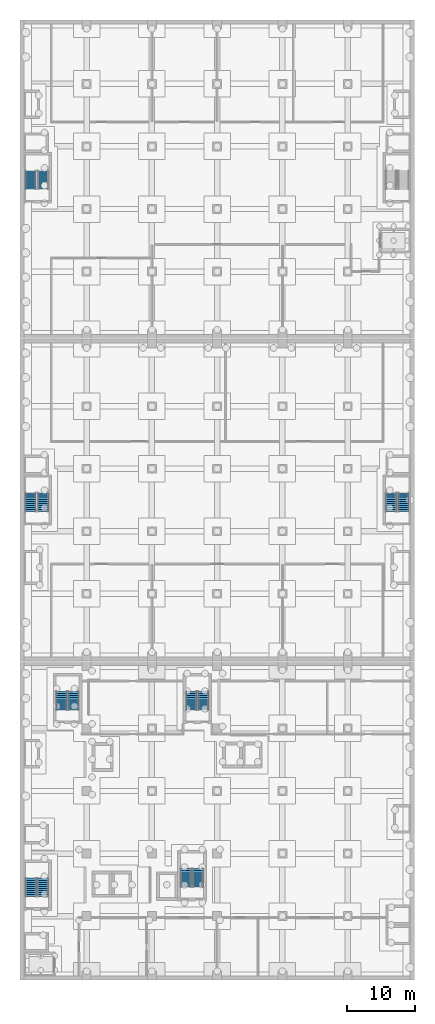
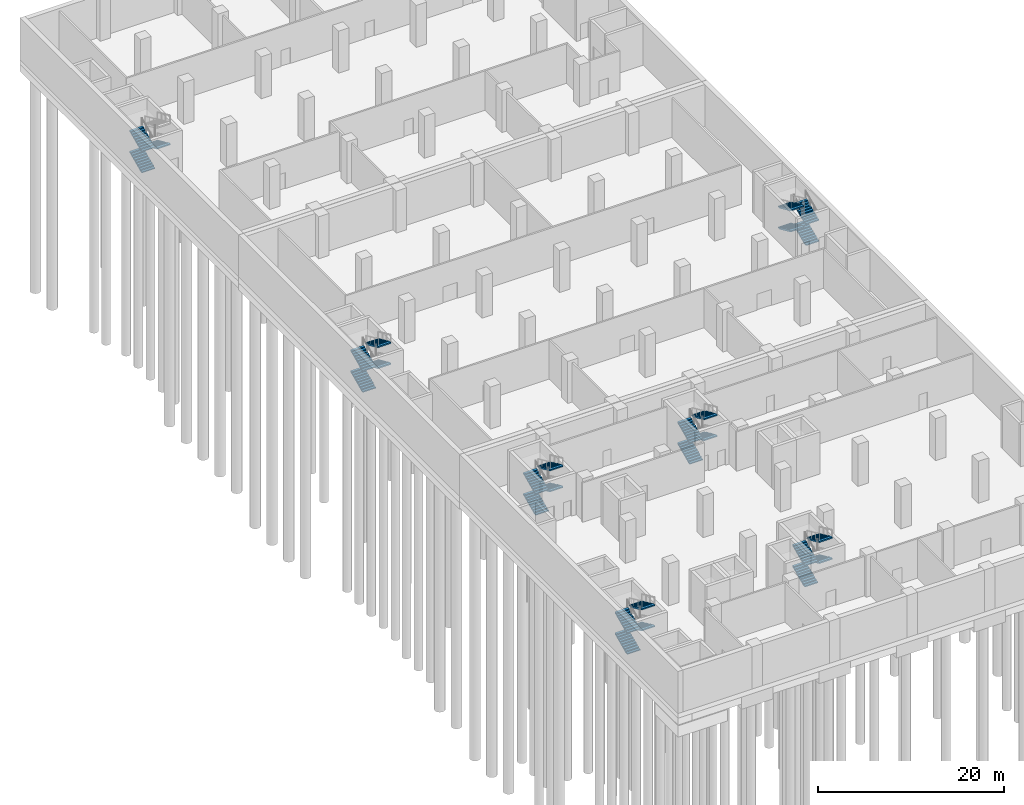
# One storey, part 14 of 33: 27 stair flights, 7 elements without a shape of their own.
"""IFC4 building model written with IfcOpenShell, lengths in metres."""

from ifc_helpers import new_model, si_unit, direction, frame, origin, place, context, subcontext, project, spatial, polyline, outline, extrude, material, type_object, element, aggregate, save


model = new_model("IFC4")

# Units and contexts
model_context = context("Model", 3, precision=1e-05, world=origin(), true_north=direction((0.0, 1.0)))
body_context = subcontext(model_context, "Body", "Model", "MODEL_VIEW")
ifc_project = project(units=[si_unit("LENGTHUNIT", "METRE"), si_unit("AREAUNIT", "SQUARE_METRE"), si_unit("VOLUMEUNIT", "CUBIC_METRE"), si_unit("PLANEANGLEUNIT", "RADIAN"), si_unit("MASSUNIT", "GRAM", prefix="KILO")], contexts=[model_context])

# Site, building, storey
site_placement = place(None, origin())
site = spatial("IfcSite", under=ifc_project, at=site_placement, CompositionType="ELEMENT")
building_placement = place(site_placement, origin())
building = spatial("IfcBuilding", under=site, at=building_placement, Name="Nzadi Deep Aquarium and Research Tower", CompositionType="ELEMENT")
storey_placement = place(building_placement, frame((0.0, 0.0, -5.5)))
storey = spatial("IfcBuildingStorey", under=building, at=storey_placement, Name="B1", CompositionType="ELEMENT", Elevation=-5.5)

# Stair, stair flights
ifc_material_1 = material(Name="Concrete C35/45", Category="concrete")
stair_type = type_object("IfcStairType", Name="STAIR RETURN 3000", PredefinedType="NOTDEFINED", material=ifc_material_1)
stair_1_placement = place(storey_placement, origin())
stair_1 = element("IfcStair", 1, at=stair_1_placement, inside=storey, type_object=stair_type, Name="Stair ST-Z1-SW B1", PredefinedType="DOUBLE_RETURN_STAIR")
ifc_material_2 = material(Name="Concrete C35/45", Category="concrete")
stair_flight_type = type_object("IfcStairFlightType", Name="FLIGHT 1625 10 RISERS 137.5", PredefinedType="STRAIGHT", material=ifc_material_2)
stair_flight_1_placement = place(storey_placement, frame((1.41259765625, 12.070068359375, 0.0), z_axis=(0.0, 0.0, 1.0), x_axis=(0.0, 1.0, 0.0)))
stair_flight_1 = element("IfcStairFlight", 2, at=stair_flight_1_placement, type_object=stair_flight_type, Name="ST-Z1-SW flight 1", NumberOfRisers=10, NumberOfTreads=9, PredefinedType="STRAIGHT", RiserHeight=0.1375, TreadLength=0.3, context=body_context, shape_type="SweptSolid", body=[
    extrude(outline(polyline([(0.0, 0.0), (0.0, 0.137451171875), (0.300048828125, 0.137451171875), (0.300048828125, 0.27490234375), (0.60009765625, 0.27490234375), (0.60009765625, 0.41259765625), (0.89990234375, 0.41259765625), (0.89990234375, 0.550048828125), (1.199951171875, 0.550048828125), (1.199951171875, 0.6875), (1.5, 0.6875), (1.5, 0.824951171875), (1.800048828125, 0.824951171875), (1.800048828125, 0.96240234375), (2.10009765625, 0.96240234375), (2.10009765625, 1.10009765625), (2.39990234375, 1.10009765625), (2.39990234375, 1.237548828125), (2.699951171875, 1.237548828125), (2.699951171875, 1.375), (2.699951171875, 1.072509765625), (0.35986328125, 0.0), (0.0, 0.0)])), frame((0.0, 0.8125, 0.0), z_axis=(0.0, -1.0, 0.0), x_axis=(1.0, 0.0, 0.0)), (0.0, 0.0, 1.0), 1.625),
])
stair_flight_2_placement = place(storey_placement, frame((3.1875, 14.77001953125, 1.375), z_axis=(0.0, 0.0, 1.0), x_axis=(0.0, -1.0, 0.0)))
stair_flight_2 = element("IfcStairFlight", 3, at=stair_flight_2_placement, type_object=stair_flight_type, Name="ST-Z1-SW flight 2", NumberOfRisers=10, NumberOfTreads=9, PredefinedType="STRAIGHT", RiserHeight=0.1375, TreadLength=0.3, context=body_context, shape_type="SweptSolid", body=[
    extrude(outline(polyline([(0.0, 0.0), (0.0, 0.137451171875), (0.300048828125, 0.137451171875), (0.300048828125, 0.27490234375), (0.60009765625, 0.27490234375), (0.60009765625, 0.41259765625), (0.89990234375, 0.41259765625), (0.89990234375, 0.550048828125), (1.199951171875, 0.550048828125), (1.199951171875, 0.6875), (1.5, 0.6875), (1.5, 0.824951171875), (1.800048828125, 0.824951171875), (1.800048828125, 0.96240234375), (2.10009765625, 0.96240234375), (2.10009765625, 1.10009765625), (2.39990234375, 1.10009765625), (2.39990234375, 1.237548828125), (2.699951171875, 1.237548828125), (2.699951171875, 1.375), (2.699951171875, 1.072509765625), (0.35986328125, 0.0), (0.0, 0.0)])), frame((0.0, 0.8125, 0.0), z_axis=(0.0, -1.0, 0.0), x_axis=(1.0, 0.0, 0.0)), (0.0, 0.0, 1.0), 1.625),
])
stair_flight_3_placement = place(storey_placement, frame((1.41259765625, 12.070068359375, 2.75), z_axis=(0.0, 0.0, 1.0), x_axis=(0.0, 1.0, 0.0)))
stair_flight_3 = element("IfcStairFlight", 4, at=stair_flight_3_placement, type_object=stair_flight_type, Name="ST-Z1-SW flight 3", NumberOfRisers=10, NumberOfTreads=9, PredefinedType="STRAIGHT", RiserHeight=0.1375, TreadLength=0.3, context=body_context, shape_type="SweptSolid", body=[
    extrude(outline(polyline([(0.0, 0.0), (0.0, 0.137451171875), (0.300048828125, 0.137451171875), (0.300048828125, 0.27490234375), (0.60009765625, 0.27490234375), (0.60009765625, 0.41259765625), (0.89990234375, 0.41259765625), (0.89990234375, 0.550048828125), (1.199951171875, 0.550048828125), (1.199951171875, 0.6875), (1.5, 0.6875), (1.5, 0.824951171875), (1.800048828125, 0.824951171875), (1.800048828125, 0.96240234375), (2.10009765625, 0.96240234375), (2.10009765625, 1.10009765625), (2.39990234375, 1.10009765625), (2.39990234375, 1.237548828125), (2.699951171875, 1.237548828125), (2.699951171875, 1.375), (2.699951171875, 1.072509765625), (0.35986328125, 0.0), (0.0, 0.0)])), frame((0.0, 0.8125, 0.0), z_axis=(0.0, -1.0, 0.0), x_axis=(1.0, 0.0, 0.0)), (0.0, 0.0, 1.0), 1.625),
])
stair_flight_4_placement = place(storey_placement, frame((3.1875, 14.77001953125, 4.125), z_axis=(0.0, 0.0, 1.0), x_axis=(0.0, -1.0, 0.0)))
stair_flight_4 = element("IfcStairFlight", 5, at=stair_flight_4_placement, type_object=stair_flight_type, Name="ST-Z1-SW flight 4", NumberOfRisers=10, NumberOfTreads=9, PredefinedType="STRAIGHT", RiserHeight=0.1375, TreadLength=0.3, context=body_context, shape_type="SweptSolid", body=[
    extrude(outline(polyline([(0.0, 0.0), (0.0, 0.137451171875), (0.300048828125, 0.137451171875), (0.300048828125, 0.27490234375), (0.60009765625, 0.27490234375), (0.60009765625, 0.41259765625), (0.89990234375, 0.41259765625), (0.89990234375, 0.550048828125), (1.199951171875, 0.550048828125), (1.199951171875, 0.6875), (1.5, 0.6875), (1.5, 0.824951171875), (1.800048828125, 0.824951171875), (1.800048828125, 0.96240234375), (2.10009765625, 0.96240234375), (2.10009765625, 1.10009765625), (2.39990234375, 1.10009765625), (2.39990234375, 1.237548828125), (2.699951171875, 1.237548828125), (2.699951171875, 1.375), (2.699951171875, 1.072509765625), (0.35986328125, 0.0), (0.0, 0.0)])), frame((0.0, 0.8125, 0.0), z_axis=(0.0, -1.0, 0.0), x_axis=(1.0, 0.0, 0.0)), (0.0, 0.0, 1.0), 1.625),
])
aggregate(stair_1, [stair_flight_1, stair_flight_2, stair_flight_3, stair_flight_4])

stair_2_placement = place(storey_placement, origin())
stair_2 = element("IfcStair", 6, at=stair_2_placement, inside=storey, type_object=stair_type, Name="Stair ST-Z1-SE B1", PredefinedType="DOUBLE_RETURN_STAIR")
stair_flight_5_placement = place(storey_placement, frame((24.21240234375, 13.469970703125, 0.0), z_axis=(0.0, 0.0, 1.0), x_axis=(0.0, 1.0, 0.0)))
stair_flight_5 = element("IfcStairFlight", 7, at=stair_flight_5_placement, type_object=stair_flight_type, Name="ST-Z1-SE flight 1", NumberOfRisers=10, NumberOfTreads=9, PredefinedType="STRAIGHT", RiserHeight=0.1375, TreadLength=0.3, context=body_context, shape_type="SweptSolid", body=[
    extrude(outline(polyline([(0.0, 0.0), (0.0, 0.137451171875), (0.300048828125, 0.137451171875), (0.300048828125, 0.27490234375), (0.60009765625, 0.27490234375), (0.60009765625, 0.41259765625), (0.89990234375, 0.41259765625), (0.89990234375, 0.550048828125), (1.199951171875, 0.550048828125), (1.199951171875, 0.6875), (1.5, 0.6875), (1.5, 0.824951171875), (1.800048828125, 0.824951171875), (1.800048828125, 0.96240234375), (2.10009765625, 0.96240234375), (2.10009765625, 1.10009765625), (2.39990234375, 1.10009765625), (2.39990234375, 1.237548828125), (2.699951171875, 1.237548828125), (2.699951171875, 1.375), (2.699951171875, 1.072509765625), (0.35986328125, 0.0), (0.0, 0.0)])), frame((0.0, 0.8125, 0.0), z_axis=(0.0, -1.0, 0.0), x_axis=(1.0, 0.0, 0.0)), (0.0, 0.0, 1.0), 1.625),
])
stair_flight_6_placement = place(storey_placement, frame((25.987548828125, 16.169921875, 1.375), z_axis=(0.0, 0.0, 1.0), x_axis=(0.0, -1.0, 0.0)))
stair_flight_6 = element("IfcStairFlight", 8, at=stair_flight_6_placement, type_object=stair_flight_type, Name="ST-Z1-SE flight 2", NumberOfRisers=10, NumberOfTreads=9, PredefinedType="STRAIGHT", RiserHeight=0.1375, TreadLength=0.3, context=body_context, shape_type="SweptSolid", body=[
    extrude(outline(polyline([(0.0, 0.0), (0.0, 0.137451171875), (0.300048828125, 0.137451171875), (0.300048828125, 0.27490234375), (0.60009765625, 0.27490234375), (0.60009765625, 0.41259765625), (0.89990234375, 0.41259765625), (0.89990234375, 0.550048828125), (1.199951171875, 0.550048828125), (1.199951171875, 0.6875), (1.5, 0.6875), (1.5, 0.824951171875), (1.800048828125, 0.824951171875), (1.800048828125, 0.96240234375), (2.10009765625, 0.96240234375), (2.10009765625, 1.10009765625), (2.39990234375, 1.10009765625), (2.39990234375, 1.237548828125), (2.699951171875, 1.237548828125), (2.699951171875, 1.375), (2.699951171875, 1.072509765625), (0.35986328125, 0.0), (0.0, 0.0)])), frame((0.0, 0.8125, 0.0), z_axis=(0.0, -1.0, 0.0), x_axis=(1.0, 0.0, 0.0)), (0.0, 0.0, 1.0), 1.625),
])
stair_flight_7_placement = place(storey_placement, frame((24.21240234375, 13.469970703125, 2.75), z_axis=(0.0, 0.0, 1.0), x_axis=(0.0, 1.0, 0.0)))
stair_flight_7 = element("IfcStairFlight", 9, at=stair_flight_7_placement, type_object=stair_flight_type, Name="ST-Z1-SE flight 3", NumberOfRisers=10, NumberOfTreads=9, PredefinedType="STRAIGHT", RiserHeight=0.1375, TreadLength=0.3, context=body_context, shape_type="SweptSolid", body=[
    extrude(outline(polyline([(0.0, 0.0), (0.0, 0.137451171875), (0.300048828125, 0.137451171875), (0.300048828125, 0.27490234375), (0.60009765625, 0.27490234375), (0.60009765625, 0.41259765625), (0.89990234375, 0.41259765625), (0.89990234375, 0.550048828125), (1.199951171875, 0.550048828125), (1.199951171875, 0.6875), (1.5, 0.6875), (1.5, 0.824951171875), (1.800048828125, 0.824951171875), (1.800048828125, 0.96240234375), (2.10009765625, 0.96240234375), (2.10009765625, 1.10009765625), (2.39990234375, 1.10009765625), (2.39990234375, 1.237548828125), (2.699951171875, 1.237548828125), (2.699951171875, 1.375), (2.699951171875, 1.072509765625), (0.35986328125, 0.0), (0.0, 0.0)])), frame((0.0, 0.8125, 0.0), z_axis=(0.0, -1.0, 0.0), x_axis=(1.0, 0.0, 0.0)), (0.0, 0.0, 1.0), 1.625),
])
stair_flight_8_placement = place(storey_placement, frame((25.987548828125, 16.169921875, 4.125), z_axis=(0.0, 0.0, 1.0), x_axis=(0.0, -1.0, 0.0)))
stair_flight_8 = element("IfcStairFlight", 10, at=stair_flight_8_placement, type_object=stair_flight_type, Name="ST-Z1-SE flight 4", NumberOfRisers=10, NumberOfTreads=9, PredefinedType="STRAIGHT", RiserHeight=0.1375, TreadLength=0.3, context=body_context, shape_type="SweptSolid", body=[
    extrude(outline(polyline([(0.0, 0.0), (0.0, 0.137451171875), (0.300048828125, 0.137451171875), (0.300048828125, 0.27490234375), (0.60009765625, 0.27490234375), (0.60009765625, 0.41259765625), (0.89990234375, 0.41259765625), (0.89990234375, 0.550048828125), (1.199951171875, 0.550048828125), (1.199951171875, 0.6875), (1.5, 0.6875), (1.5, 0.824951171875), (1.800048828125, 0.824951171875), (1.800048828125, 0.96240234375), (2.10009765625, 0.96240234375), (2.10009765625, 1.10009765625), (2.39990234375, 1.10009765625), (2.39990234375, 1.237548828125), (2.699951171875, 1.237548828125), (2.699951171875, 1.375), (2.699951171875, 1.072509765625), (0.35986328125, 0.0), (0.0, 0.0)])), frame((0.0, 0.8125, 0.0), z_axis=(0.0, -1.0, 0.0), x_axis=(1.0, 0.0, 0.0)), (0.0, 0.0, 1.0), 1.625),
])
aggregate(stair_2, [stair_flight_5, stair_flight_6, stair_flight_7, stair_flight_8])

stair_3_placement = place(storey_placement, origin())
stair_3 = element("IfcStair", 11, at=stair_3_placement, inside=storey, type_object=stair_type, Name="Stair ST-Z1-NW B1", PredefinedType="DOUBLE_RETURN_STAIR")
stair_flight_9_placement = place(storey_placement, frame((5.91259765625, 39.52001953125, 0.0), z_axis=(0.0, 0.0, 1.0), x_axis=(0.0, 1.0, 0.0)))
stair_flight_9 = element("IfcStairFlight", 12, at=stair_flight_9_placement, type_object=stair_flight_type, Name="ST-Z1-NW flight 1", NumberOfRisers=10, NumberOfTreads=9, PredefinedType="STRAIGHT", RiserHeight=0.1375, TreadLength=0.3, context=body_context, shape_type="SweptSolid", body=[
    extrude(outline(polyline([(0.0, 0.0), (0.0, 0.137451171875), (0.300048828125, 0.137451171875), (0.300048828125, 0.27490234375), (0.60009765625, 0.27490234375), (0.60009765625, 0.41259765625), (0.89990234375, 0.41259765625), (0.89990234375, 0.550048828125), (1.199951171875, 0.550048828125), (1.199951171875, 0.6875), (1.5, 0.6875), (1.5, 0.824951171875), (1.800048828125, 0.824951171875), (1.800048828125, 0.96240234375), (2.10009765625, 0.96240234375), (2.10009765625, 1.10009765625), (2.39990234375, 1.10009765625), (2.39990234375, 1.237548828125), (2.699951171875, 1.237548828125), (2.699951171875, 1.375), (2.699951171875, 1.072509765625), (0.35986328125, 0.0), (0.0, 0.0)])), frame((0.0, 0.8125, 0.0), z_axis=(0.0, -1.0, 0.0), x_axis=(1.0, 0.0, 0.0)), (0.0, 0.0, 1.0), 1.625),
])
stair_flight_10_placement = place(storey_placement, frame((7.6875, 42.219970703125, 1.375), z_axis=(0.0, 0.0, 1.0), x_axis=(0.0, -1.0, 0.0)))
stair_flight_10 = element("IfcStairFlight", 13, at=stair_flight_10_placement, type_object=stair_flight_type, Name="ST-Z1-NW flight 2", NumberOfRisers=10, NumberOfTreads=9, PredefinedType="STRAIGHT", RiserHeight=0.1375, TreadLength=0.3, context=body_context, shape_type="SweptSolid", body=[
    extrude(outline(polyline([(0.0, 0.0), (0.0, 0.137451171875), (0.300048828125, 0.137451171875), (0.300048828125, 0.27490234375), (0.60009765625, 0.27490234375), (0.60009765625, 0.41259765625), (0.89990234375, 0.41259765625), (0.89990234375, 0.550048828125), (1.199951171875, 0.550048828125), (1.199951171875, 0.6875), (1.5, 0.6875), (1.5, 0.824951171875), (1.800048828125, 0.824951171875), (1.800048828125, 0.96240234375), (2.10009765625, 0.96240234375), (2.10009765625, 1.10009765625), (2.39990234375, 1.10009765625), (2.39990234375, 1.237548828125), (2.699951171875, 1.237548828125), (2.699951171875, 1.375), (2.699951171875, 1.072509765625), (0.35986328125, 0.0), (0.0, 0.0)])), frame((0.0, 0.8125, 0.0), z_axis=(0.0, -1.0, 0.0), x_axis=(1.0, 0.0, 0.0)), (0.0, 0.0, 1.0), 1.625),
])
stair_flight_11_placement = place(storey_placement, frame((5.91259765625, 39.52001953125, 2.75), z_axis=(0.0, 0.0, 1.0), x_axis=(0.0, 1.0, 0.0)))
stair_flight_11 = element("IfcStairFlight", 14, at=stair_flight_11_placement, type_object=stair_flight_type, Name="ST-Z1-NW flight 3", NumberOfRisers=10, NumberOfTreads=9, PredefinedType="STRAIGHT", RiserHeight=0.1375, TreadLength=0.3, context=body_context, shape_type="SweptSolid", body=[
    extrude(outline(polyline([(0.0, 0.0), (0.0, 0.137451171875), (0.300048828125, 0.137451171875), (0.300048828125, 0.27490234375), (0.60009765625, 0.27490234375), (0.60009765625, 0.41259765625), (0.89990234375, 0.41259765625), (0.89990234375, 0.550048828125), (1.199951171875, 0.550048828125), (1.199951171875, 0.6875), (1.5, 0.6875), (1.5, 0.824951171875), (1.800048828125, 0.824951171875), (1.800048828125, 0.96240234375), (2.10009765625, 0.96240234375), (2.10009765625, 1.10009765625), (2.39990234375, 1.10009765625), (2.39990234375, 1.237548828125), (2.699951171875, 1.237548828125), (2.699951171875, 1.375), (2.699951171875, 1.072509765625), (0.35986328125, 0.0), (0.0, 0.0)])), frame((0.0, 0.8125, 0.0), z_axis=(0.0, -1.0, 0.0), x_axis=(1.0, 0.0, 0.0)), (0.0, 0.0, 1.0), 1.625),
])
stair_flight_12_placement = place(storey_placement, frame((7.6875, 42.219970703125, 4.125), z_axis=(0.0, 0.0, 1.0), x_axis=(0.0, -1.0, 0.0)))
stair_flight_12 = element("IfcStairFlight", 15, at=stair_flight_12_placement, type_object=stair_flight_type, Name="ST-Z1-NW flight 4", NumberOfRisers=10, NumberOfTreads=9, PredefinedType="STRAIGHT", RiserHeight=0.1375, TreadLength=0.3, context=body_context, shape_type="SweptSolid", body=[
    extrude(outline(polyline([(0.0, 0.0), (0.0, 0.137451171875), (0.300048828125, 0.137451171875), (0.300048828125, 0.27490234375), (0.60009765625, 0.27490234375), (0.60009765625, 0.41259765625), (0.89990234375, 0.41259765625), (0.89990234375, 0.550048828125), (1.199951171875, 0.550048828125), (1.199951171875, 0.6875), (1.5, 0.6875), (1.5, 0.824951171875), (1.800048828125, 0.824951171875), (1.800048828125, 0.96240234375), (2.10009765625, 0.96240234375), (2.10009765625, 1.10009765625), (2.39990234375, 1.10009765625), (2.39990234375, 1.237548828125), (2.699951171875, 1.237548828125), (2.699951171875, 1.375), (2.699951171875, 1.072509765625), (0.35986328125, 0.0), (0.0, 0.0)])), frame((0.0, 0.8125, 0.0), z_axis=(0.0, -1.0, 0.0), x_axis=(1.0, 0.0, 0.0)), (0.0, 0.0, 1.0), 1.625),
])
aggregate(stair_3, [stair_flight_9, stair_flight_10, stair_flight_11, stair_flight_12])

stair_4_placement = place(storey_placement, origin())
stair_4 = element("IfcStair", 16, at=stair_4_placement, inside=storey, type_object=stair_type, Name="Stair ST-Z1-NE B1", PredefinedType="DOUBLE_RETURN_STAIR")
stair_flight_13_placement = place(storey_placement, frame((25.012451171875, 39.52001953125, 0.0), z_axis=(0.0, 0.0, 1.0), x_axis=(0.0, 1.0, 0.0)))
stair_flight_13 = element("IfcStairFlight", 17, at=stair_flight_13_placement, type_object=stair_flight_type, Name="ST-Z1-NE flight 1", NumberOfRisers=10, NumberOfTreads=9, PredefinedType="STRAIGHT", RiserHeight=0.1375, TreadLength=0.3, context=body_context, shape_type="SweptSolid", body=[
    extrude(outline(polyline([(0.0, 0.0), (0.0, 0.137451171875), (0.300048828125, 0.137451171875), (0.300048828125, 0.27490234375), (0.60009765625, 0.27490234375), (0.60009765625, 0.41259765625), (0.89990234375, 0.41259765625), (0.89990234375, 0.550048828125), (1.199951171875, 0.550048828125), (1.199951171875, 0.6875), (1.5, 0.6875), (1.5, 0.824951171875), (1.800048828125, 0.824951171875), (1.800048828125, 0.96240234375), (2.10009765625, 0.96240234375), (2.10009765625, 1.10009765625), (2.39990234375, 1.10009765625), (2.39990234375, 1.237548828125), (2.699951171875, 1.237548828125), (2.699951171875, 1.375), (2.699951171875, 1.072509765625), (0.35986328125, 0.0), (0.0, 0.0)])), frame((0.0, 0.8125, 0.0), z_axis=(0.0, -1.0, 0.0), x_axis=(1.0, 0.0, 0.0)), (0.0, 0.0, 1.0), 1.625),
])
stair_flight_14_placement = place(storey_placement, frame((26.78759765625, 42.219970703125, 1.375), z_axis=(0.0, 0.0, 1.0), x_axis=(0.0, -1.0, 0.0)))
stair_flight_14 = element("IfcStairFlight", 18, at=stair_flight_14_placement, type_object=stair_flight_type, Name="ST-Z1-NE flight 2", NumberOfRisers=10, NumberOfTreads=9, PredefinedType="STRAIGHT", RiserHeight=0.1375, TreadLength=0.3, context=body_context, shape_type="SweptSolid", body=[
    extrude(outline(polyline([(0.0, 0.0), (0.0, 0.137451171875), (0.300048828125, 0.137451171875), (0.300048828125, 0.27490234375), (0.60009765625, 0.27490234375), (0.60009765625, 0.41259765625), (0.89990234375, 0.41259765625), (0.89990234375, 0.550048828125), (1.199951171875, 0.550048828125), (1.199951171875, 0.6875), (1.5, 0.6875), (1.5, 0.824951171875), (1.800048828125, 0.824951171875), (1.800048828125, 0.96240234375), (2.10009765625, 0.96240234375), (2.10009765625, 1.10009765625), (2.39990234375, 1.10009765625), (2.39990234375, 1.237548828125), (2.699951171875, 1.237548828125), (2.699951171875, 1.375), (2.699951171875, 1.072509765625), (0.35986328125, 0.0), (0.0, 0.0)])), frame((0.0, 0.8125, 0.0), z_axis=(0.0, -1.0, 0.0), x_axis=(1.0, 0.0, 0.0)), (0.0, 0.0, 1.0), 1.625),
])
stair_flight_15_placement = place(storey_placement, frame((25.012451171875, 39.52001953125, 2.75), z_axis=(0.0, 0.0, 1.0), x_axis=(0.0, 1.0, 0.0)))
stair_flight_15 = element("IfcStairFlight", 19, at=stair_flight_15_placement, type_object=stair_flight_type, Name="ST-Z1-NE flight 3", NumberOfRisers=10, NumberOfTreads=9, PredefinedType="STRAIGHT", RiserHeight=0.1375, TreadLength=0.3, context=body_context, shape_type="SweptSolid", body=[
    extrude(outline(polyline([(0.0, 0.0), (0.0, 0.137451171875), (0.300048828125, 0.137451171875), (0.300048828125, 0.27490234375), (0.60009765625, 0.27490234375), (0.60009765625, 0.41259765625), (0.89990234375, 0.41259765625), (0.89990234375, 0.550048828125), (1.199951171875, 0.550048828125), (1.199951171875, 0.6875), (1.5, 0.6875), (1.5, 0.824951171875), (1.800048828125, 0.824951171875), (1.800048828125, 0.96240234375), (2.10009765625, 0.96240234375), (2.10009765625, 1.10009765625), (2.39990234375, 1.10009765625), (2.39990234375, 1.237548828125), (2.699951171875, 1.237548828125), (2.699951171875, 1.375), (2.699951171875, 1.072509765625), (0.35986328125, 0.0), (0.0, 0.0)])), frame((0.0, 0.8125, 0.0), z_axis=(0.0, -1.0, 0.0), x_axis=(1.0, 0.0, 0.0)), (0.0, 0.0, 1.0), 1.625),
])
stair_flight_16_placement = place(storey_placement, frame((26.78759765625, 42.219970703125, 4.125), z_axis=(0.0, 0.0, 1.0), x_axis=(0.0, -1.0, 0.0)))
stair_flight_16 = element("IfcStairFlight", 20, at=stair_flight_16_placement, type_object=stair_flight_type, Name="ST-Z1-NE flight 4", NumberOfRisers=10, NumberOfTreads=9, PredefinedType="STRAIGHT", RiserHeight=0.1375, TreadLength=0.3, context=body_context, shape_type="SweptSolid", body=[
    extrude(outline(polyline([(0.0, 0.0), (0.0, 0.137451171875), (0.300048828125, 0.137451171875), (0.300048828125, 0.27490234375), (0.60009765625, 0.27490234375), (0.60009765625, 0.41259765625), (0.89990234375, 0.41259765625), (0.89990234375, 0.550048828125), (1.199951171875, 0.550048828125), (1.199951171875, 0.6875), (1.5, 0.6875), (1.5, 0.824951171875), (1.800048828125, 0.824951171875), (1.800048828125, 0.96240234375), (2.10009765625, 0.96240234375), (2.10009765625, 1.10009765625), (2.39990234375, 1.10009765625), (2.39990234375, 1.237548828125), (2.699951171875, 1.237548828125), (2.699951171875, 1.375), (2.699951171875, 1.072509765625), (0.35986328125, 0.0), (0.0, 0.0)])), frame((0.0, 0.8125, 0.0), z_axis=(0.0, -1.0, 0.0), x_axis=(1.0, 0.0, 0.0)), (0.0, 0.0, 1.0), 1.625),
])
aggregate(stair_4, [stair_flight_13, stair_flight_14, stair_flight_15, stair_flight_16])

stair_5_placement = place(storey_placement, origin())
stair_5 = element("IfcStair", 21, at=stair_5_placement, inside=storey, type_object=stair_type, Name="Stair ST-Z2-W B1", PredefinedType="DOUBLE_RETURN_STAIR")
stair_flight_17_placement = place(storey_placement, frame((1.362548828125, 68.7099609375, 0.0), z_axis=(0.0, 0.0, 1.0), x_axis=(0.0, 1.0, 0.0)))
stair_flight_17 = element("IfcStairFlight", 22, at=stair_flight_17_placement, type_object=stair_flight_type, Name="ST-Z2-W flight 1", NumberOfRisers=10, NumberOfTreads=9, PredefinedType="STRAIGHT", RiserHeight=0.1375, TreadLength=0.3, context=body_context, shape_type="SweptSolid", body=[
    extrude(outline(polyline([(0.0, 0.0), (0.0, 0.137451171875), (0.300048828125, 0.137451171875), (0.300048828125, 0.27490234375), (0.60009765625, 0.27490234375), (0.60009765625, 0.41259765625), (0.89990234375, 0.41259765625), (0.89990234375, 0.550048828125), (1.199951171875, 0.550048828125), (1.199951171875, 0.6875), (1.5, 0.6875), (1.5, 0.824951171875), (1.800048828125, 0.824951171875), (1.800048828125, 0.96240234375), (2.10009765625, 0.96240234375), (2.10009765625, 1.10009765625), (2.39990234375, 1.10009765625), (2.39990234375, 1.237548828125), (2.699951171875, 1.237548828125), (2.699951171875, 1.375), (2.699951171875, 1.072509765625), (0.35986328125, 0.0), (0.0, 0.0)])), frame((0.0, 0.8125, 0.0), z_axis=(0.0, -1.0, 0.0), x_axis=(1.0, 0.0, 0.0)), (0.0, 0.0, 1.0), 1.625),
])
stair_flight_18_placement = place(storey_placement, frame((3.237548828125, 71.409912109375, 1.375), z_axis=(0.0, 0.0, 1.0), x_axis=(0.0, -1.0, 0.0)))
stair_flight_18 = element("IfcStairFlight", 23, at=stair_flight_18_placement, type_object=stair_flight_type, Name="ST-Z2-W flight 2", NumberOfRisers=10, NumberOfTreads=9, PredefinedType="STRAIGHT", RiserHeight=0.1375, TreadLength=0.3, context=body_context, shape_type="SweptSolid", body=[
    extrude(outline(polyline([(0.0, 0.0), (0.0, 0.137451171875), (0.300048828125, 0.137451171875), (0.300048828125, 0.27490234375), (0.60009765625, 0.27490234375), (0.60009765625, 0.41259765625), (0.89990234375, 0.41259765625), (0.89990234375, 0.550048828125), (1.199951171875, 0.550048828125), (1.199951171875, 0.6875), (1.5, 0.6875), (1.5, 0.824951171875), (1.800048828125, 0.824951171875), (1.800048828125, 0.96240234375), (2.10009765625, 0.96240234375), (2.10009765625, 1.10009765625), (2.39990234375, 1.10009765625), (2.39990234375, 1.237548828125), (2.699951171875, 1.237548828125), (2.699951171875, 1.375), (2.699951171875, 1.072509765625), (0.35986328125, 0.0), (0.0, 0.0)])), frame((0.0, 0.8125, 0.0), z_axis=(0.0, -1.0, 0.0), x_axis=(1.0, 0.0, 0.0)), (0.0, 0.0, 1.0), 1.625),
])
stair_flight_19_placement = place(storey_placement, frame((1.362548828125, 68.7099609375, 2.75), z_axis=(0.0, 0.0, 1.0), x_axis=(0.0, 1.0, 0.0)))
stair_flight_19 = element("IfcStairFlight", 24, at=stair_flight_19_placement, type_object=stair_flight_type, Name="ST-Z2-W flight 3", NumberOfRisers=10, NumberOfTreads=9, PredefinedType="STRAIGHT", RiserHeight=0.1375, TreadLength=0.3, context=body_context, shape_type="SweptSolid", body=[
    extrude(outline(polyline([(0.0, 0.0), (0.0, 0.137451171875), (0.300048828125, 0.137451171875), (0.300048828125, 0.27490234375), (0.60009765625, 0.27490234375), (0.60009765625, 0.41259765625), (0.89990234375, 0.41259765625), (0.89990234375, 0.550048828125), (1.199951171875, 0.550048828125), (1.199951171875, 0.6875), (1.5, 0.6875), (1.5, 0.824951171875), (1.800048828125, 0.824951171875), (1.800048828125, 0.96240234375), (2.10009765625, 0.96240234375), (2.10009765625, 1.10009765625), (2.39990234375, 1.10009765625), (2.39990234375, 1.237548828125), (2.699951171875, 1.237548828125), (2.699951171875, 1.375), (2.699951171875, 1.072509765625), (0.35986328125, 0.0), (0.0, 0.0)])), frame((0.0, 0.8125, 0.0), z_axis=(0.0, -1.0, 0.0), x_axis=(1.0, 0.0, 0.0)), (0.0, 0.0, 1.0), 1.625),
])
stair_flight_20_placement = place(storey_placement, frame((3.237548828125, 71.409912109375, 4.125), z_axis=(0.0, 0.0, 1.0), x_axis=(0.0, -1.0, 0.0)))
stair_flight_20 = element("IfcStairFlight", 25, at=stair_flight_20_placement, type_object=stair_flight_type, Name="ST-Z2-W flight 4", NumberOfRisers=10, NumberOfTreads=9, PredefinedType="STRAIGHT", RiserHeight=0.1375, TreadLength=0.3, context=body_context, shape_type="SweptSolid", body=[
    extrude(outline(polyline([(0.0, 0.0), (0.0, 0.137451171875), (0.300048828125, 0.137451171875), (0.300048828125, 0.27490234375), (0.60009765625, 0.27490234375), (0.60009765625, 0.41259765625), (0.89990234375, 0.41259765625), (0.89990234375, 0.550048828125), (1.199951171875, 0.550048828125), (1.199951171875, 0.6875), (1.5, 0.6875), (1.5, 0.824951171875), (1.800048828125, 0.824951171875), (1.800048828125, 0.96240234375), (2.10009765625, 0.96240234375), (2.10009765625, 1.10009765625), (2.39990234375, 1.10009765625), (2.39990234375, 1.237548828125), (2.699951171875, 1.237548828125), (2.699951171875, 1.375), (2.699951171875, 1.072509765625), (0.35986328125, 0.0), (0.0, 0.0)])), frame((0.0, 0.8125, 0.0), z_axis=(0.0, -1.0, 0.0), x_axis=(1.0, 0.0, 0.0)), (0.0, 0.0, 1.0), 1.625),
])
aggregate(stair_5, [stair_flight_17, stair_flight_18, stair_flight_19, stair_flight_20])

stair_6_placement = place(storey_placement, origin())
stair_6 = element("IfcStair", 26, at=stair_6_placement, inside=storey, type_object=stair_type, Name="Stair ST-Z2-E B1", PredefinedType="DOUBLE_RETURN_STAIR")
stair_flight_21_placement = place(storey_placement, frame((56.237548828125, 68.7099609375, 0.0), z_axis=(0.0, 0.0, 1.0), x_axis=(0.0, 1.0, 0.0)))
stair_flight_21 = element("IfcStairFlight", 27, at=stair_flight_21_placement, type_object=stair_flight_type, Name="ST-Z2-E flight 1", NumberOfRisers=10, NumberOfTreads=9, PredefinedType="STRAIGHT", RiserHeight=0.1375, TreadLength=0.3, context=body_context, shape_type="SweptSolid", body=[
    extrude(outline(polyline([(0.0, 0.0), (0.0, 0.137451171875), (0.300048828125, 0.137451171875), (0.300048828125, 0.27490234375), (0.60009765625, 0.27490234375), (0.60009765625, 0.41259765625), (0.89990234375, 0.41259765625), (0.89990234375, 0.550048828125), (1.199951171875, 0.550048828125), (1.199951171875, 0.6875), (1.5, 0.6875), (1.5, 0.824951171875), (1.800048828125, 0.824951171875), (1.800048828125, 0.96240234375), (2.10009765625, 0.96240234375), (2.10009765625, 1.10009765625), (2.39990234375, 1.10009765625), (2.39990234375, 1.237548828125), (2.699951171875, 1.237548828125), (2.699951171875, 1.375), (2.699951171875, 1.072509765625), (0.35986328125, 0.0), (0.0, 0.0)])), frame((0.0, 0.8125, 0.0), z_axis=(0.0, -1.0, 0.0), x_axis=(1.0, 0.0, 0.0)), (0.0, 0.0, 1.0), 1.625),
])
stair_flight_22_placement = place(storey_placement, frame((54.362548828125, 71.409912109375, 1.375), z_axis=(0.0, 0.0, 1.0), x_axis=(0.0, -1.0, 0.0)))
stair_flight_22 = element("IfcStairFlight", 28, at=stair_flight_22_placement, type_object=stair_flight_type, Name="ST-Z2-E flight 2", NumberOfRisers=10, NumberOfTreads=9, PredefinedType="STRAIGHT", RiserHeight=0.1375, TreadLength=0.3, context=body_context, shape_type="SweptSolid", body=[
    extrude(outline(polyline([(0.0, 0.0), (0.0, 0.137451171875), (0.300048828125, 0.137451171875), (0.300048828125, 0.27490234375), (0.60009765625, 0.27490234375), (0.60009765625, 0.41259765625), (0.89990234375, 0.41259765625), (0.89990234375, 0.550048828125), (1.199951171875, 0.550048828125), (1.199951171875, 0.6875), (1.5, 0.6875), (1.5, 0.824951171875), (1.800048828125, 0.824951171875), (1.800048828125, 0.96240234375), (2.10009765625, 0.96240234375), (2.10009765625, 1.10009765625), (2.39990234375, 1.10009765625), (2.39990234375, 1.237548828125), (2.699951171875, 1.237548828125), (2.699951171875, 1.375), (2.699951171875, 1.072509765625), (0.35986328125, 0.0), (0.0, 0.0)])), frame((0.0, 0.8125, 0.0), z_axis=(0.0, -1.0, 0.0), x_axis=(1.0, 0.0, 0.0)), (0.0, 0.0, 1.0), 1.625),
])
stair_flight_23_placement = place(storey_placement, frame((56.237548828125, 68.7099609375, 2.75), z_axis=(0.0, 0.0, 1.0), x_axis=(0.0, 1.0, 0.0)))
stair_flight_23 = element("IfcStairFlight", 29, at=stair_flight_23_placement, type_object=stair_flight_type, Name="ST-Z2-E flight 3", NumberOfRisers=10, NumberOfTreads=9, PredefinedType="STRAIGHT", RiserHeight=0.1375, TreadLength=0.3, context=body_context, shape_type="SweptSolid", body=[
    extrude(outline(polyline([(0.0, 0.0), (0.0, 0.137451171875), (0.300048828125, 0.137451171875), (0.300048828125, 0.27490234375), (0.60009765625, 0.27490234375), (0.60009765625, 0.41259765625), (0.89990234375, 0.41259765625), (0.89990234375, 0.550048828125), (1.199951171875, 0.550048828125), (1.199951171875, 0.6875), (1.5, 0.6875), (1.5, 0.824951171875), (1.800048828125, 0.824951171875), (1.800048828125, 0.96240234375), (2.10009765625, 0.96240234375), (2.10009765625, 1.10009765625), (2.39990234375, 1.10009765625), (2.39990234375, 1.237548828125), (2.699951171875, 1.237548828125), (2.699951171875, 1.375), (2.699951171875, 1.072509765625), (0.35986328125, 0.0), (0.0, 0.0)])), frame((0.0, 0.8125, 0.0), z_axis=(0.0, -1.0, 0.0), x_axis=(1.0, 0.0, 0.0)), (0.0, 0.0, 1.0), 1.625),
])
stair_flight_24_placement = place(storey_placement, frame((54.362548828125, 71.409912109375, 4.125), z_axis=(0.0, 0.0, 1.0), x_axis=(0.0, -1.0, 0.0)))
stair_flight_24 = element("IfcStairFlight", 30, at=stair_flight_24_placement, type_object=stair_flight_type, Name="ST-Z2-E flight 4", NumberOfRisers=10, NumberOfTreads=9, PredefinedType="STRAIGHT", RiserHeight=0.1375, TreadLength=0.3, context=body_context, shape_type="SweptSolid", body=[
    extrude(outline(polyline([(0.0, 0.0), (0.0, 0.137451171875), (0.300048828125, 0.137451171875), (0.300048828125, 0.27490234375), (0.60009765625, 0.27490234375), (0.60009765625, 0.41259765625), (0.89990234375, 0.41259765625), (0.89990234375, 0.550048828125), (1.199951171875, 0.550048828125), (1.199951171875, 0.6875), (1.5, 0.6875), (1.5, 0.824951171875), (1.800048828125, 0.824951171875), (1.800048828125, 0.96240234375), (2.10009765625, 0.96240234375), (2.10009765625, 1.10009765625), (2.39990234375, 1.10009765625), (2.39990234375, 1.237548828125), (2.699951171875, 1.237548828125), (2.699951171875, 1.375), (2.699951171875, 1.072509765625), (0.35986328125, 0.0), (0.0, 0.0)])), frame((0.0, 0.8125, 0.0), z_axis=(0.0, -1.0, 0.0), x_axis=(1.0, 0.0, 0.0)), (0.0, 0.0, 1.0), 1.625),
])
aggregate(stair_6, [stair_flight_21, stair_flight_22, stair_flight_23, stair_flight_24])

stair_7_placement = place(storey_placement, origin())
stair_7 = element("IfcStair", 31, at=stair_7_placement, inside=storey, type_object=stair_type, Name="Stair ST-Z3-W B1", PredefinedType="DOUBLE_RETURN_STAIR")
stair_flight_25_placement = place(storey_placement, frame((1.362548828125, 116.110107421875, 0.0), z_axis=(0.0, 0.0, 1.0), x_axis=(0.0, 1.0, 0.0)))
stair_flight_25 = element("IfcStairFlight", 32, at=stair_flight_25_placement, type_object=stair_flight_type, Name="ST-Z3-W flight 1", NumberOfRisers=10, NumberOfTreads=9, PredefinedType="STRAIGHT", RiserHeight=0.1375, TreadLength=0.3, context=body_context, shape_type="SweptSolid", body=[
    extrude(outline(polyline([(0.0, 0.0), (0.0, 0.137451171875), (0.300048828125, 0.137451171875), (0.300048828125, 0.27490234375), (0.60009765625, 0.27490234375), (0.60009765625, 0.41259765625), (0.89990234375, 0.41259765625), (0.89990234375, 0.550048828125), (1.199951171875, 0.550048828125), (1.199951171875, 0.6875), (1.5, 0.6875), (1.5, 0.824951171875), (1.800048828125, 0.824951171875), (1.800048828125, 0.96240234375), (2.10009765625, 0.96240234375), (2.10009765625, 1.10009765625), (2.39990234375, 1.10009765625), (2.39990234375, 1.237548828125), (2.699951171875, 1.237548828125), (2.699951171875, 1.375), (2.699951171875, 1.072509765625), (0.35986328125, 0.0), (0.0, 0.0)])), frame((0.0, 0.8125, 0.0), z_axis=(0.0, -1.0, 0.0), x_axis=(1.0, 0.0, 0.0)), (0.0, 0.0, 1.0), 1.625),
])
stair_flight_26_placement = place(storey_placement, frame((3.237548828125, 118.81005859375, 1.375), z_axis=(0.0, 0.0, 1.0), x_axis=(0.0, -1.0, 0.0)))
stair_flight_26 = element("IfcStairFlight", 33, at=stair_flight_26_placement, type_object=stair_flight_type, Name="ST-Z3-W flight 2", NumberOfRisers=10, NumberOfTreads=9, PredefinedType="STRAIGHT", RiserHeight=0.1375, TreadLength=0.3, context=body_context, shape_type="SweptSolid", body=[
    extrude(outline(polyline([(0.0, 0.0), (0.0, 0.137451171875), (0.300048828125, 0.137451171875), (0.300048828125, 0.27490234375), (0.60009765625, 0.27490234375), (0.60009765625, 0.41259765625), (0.89990234375, 0.41259765625), (0.89990234375, 0.550048828125), (1.199951171875, 0.550048828125), (1.199951171875, 0.6875), (1.5, 0.6875), (1.5, 0.824951171875), (1.800048828125, 0.824951171875), (1.800048828125, 0.96240234375), (2.10009765625, 0.96240234375), (2.10009765625, 1.10009765625), (2.39990234375, 1.10009765625), (2.39990234375, 1.237548828125), (2.699951171875, 1.237548828125), (2.699951171875, 1.375), (2.699951171875, 1.072509765625), (0.35986328125, 0.0), (0.0, 0.0)])), frame((0.0, 0.8125, 0.0), z_axis=(0.0, -1.0, 0.0), x_axis=(1.0, 0.0, 0.0)), (0.0, 0.0, 1.0), 1.625),
])
stair_flight_27_placement = place(storey_placement, frame((1.362548828125, 116.110107421875, 2.75), z_axis=(0.0, 0.0, 1.0), x_axis=(0.0, 1.0, 0.0)))
stair_flight_27 = element("IfcStairFlight", 34, at=stair_flight_27_placement, type_object=stair_flight_type, Name="ST-Z3-W flight 3", NumberOfRisers=10, NumberOfTreads=9, PredefinedType="STRAIGHT", RiserHeight=0.1375, TreadLength=0.3, context=body_context, shape_type="SweptSolid", body=[
    extrude(outline(polyline([(0.0, 0.0), (0.0, 0.137451171875), (0.300048828125, 0.137451171875), (0.300048828125, 0.27490234375), (0.60009765625, 0.27490234375), (0.60009765625, 0.41259765625), (0.89990234375, 0.41259765625), (0.89990234375, 0.550048828125), (1.199951171875, 0.550048828125), (1.199951171875, 0.6875), (1.5, 0.6875), (1.5, 0.824951171875), (1.800048828125, 0.824951171875), (1.800048828125, 0.96240234375), (2.10009765625, 0.96240234375), (2.10009765625, 1.10009765625), (2.39990234375, 1.10009765625), (2.39990234375, 1.237548828125), (2.699951171875, 1.237548828125), (2.699951171875, 1.375), (2.699951171875, 1.072509765625), (0.35986328125, 0.0), (0.0, 0.0)])), frame((0.0, 0.8125, 0.0), z_axis=(0.0, -1.0, 0.0), x_axis=(1.0, 0.0, 0.0)), (0.0, 0.0, 1.0), 1.625),
])
aggregate(stair_7, [stair_flight_25, stair_flight_26, stair_flight_27])

save(model, "model.ifc")
